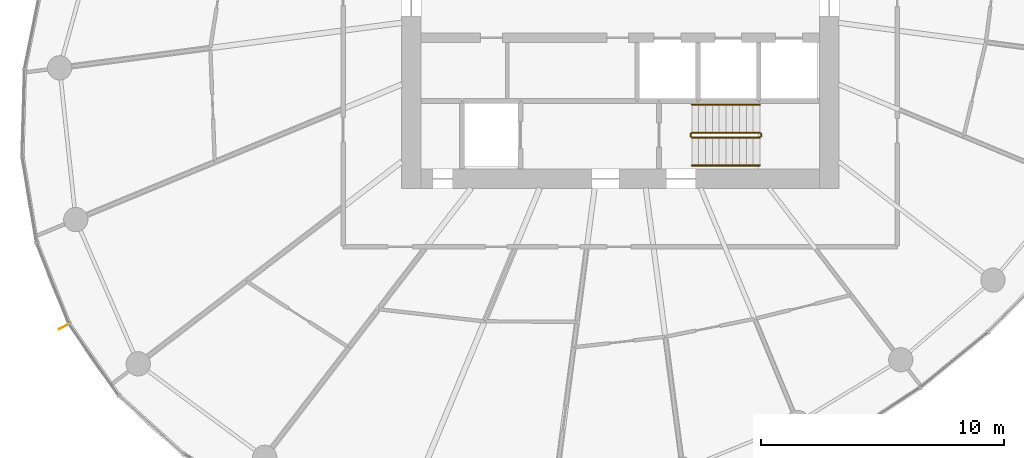
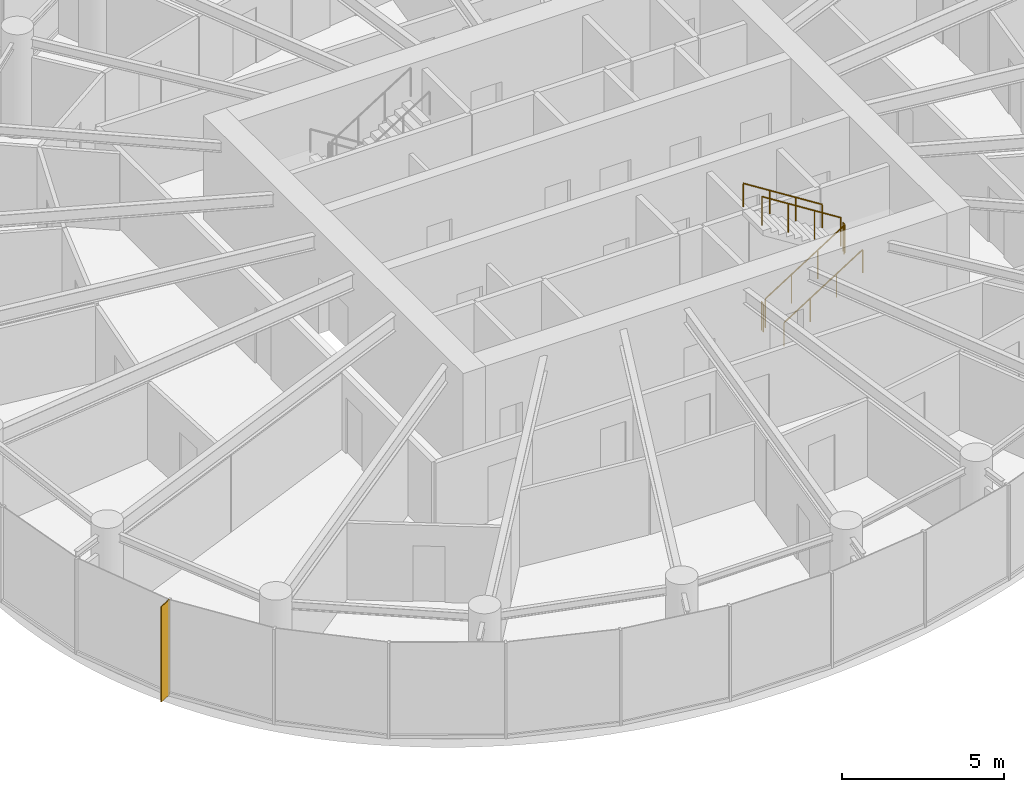
# One storey, part 12 of 14: 6 railings, 1 shading device.
"""IFC4 building model written with IfcOpenShell, lengths in metres."""

from ifc_helpers import new_model, si_unit, direction, frame, origin, origin_2d, place, context, subcontext, project, spatial, rectangle, circle, extrude, source, transform, mapped, material, material_profile, profile_set, type_object, element, save


model = new_model("IFC4")

# Units and contexts
model_context = context("Model", 3, precision=1e-05, world=origin(), true_north=direction((0.0, 1.0)))
body_context = subcontext(model_context, "Body", "Model", "MODEL_VIEW")
ifc_project = project(units=[si_unit("LENGTHUNIT", "METRE"), si_unit("AREAUNIT", "SQUARE_METRE"), si_unit("VOLUMEUNIT", "CUBIC_METRE"), si_unit("PLANEANGLEUNIT", "RADIAN"), si_unit("MASSUNIT", "GRAM", prefix="KILO")], contexts=[model_context])

# Site, building, storey
site_placement = place(None, origin())
site = spatial("IfcSite", under=ifc_project, at=site_placement, CompositionType="ELEMENT")
building_placement = place(site_placement, origin())
building = spatial("IfcBuilding", under=site, at=building_placement, Name="Spindrift Exchange Tower", CompositionType="ELEMENT")
storey_placement = place(building_placement, frame((0.0, 0.0, 152.60009765625)))
storey = spatial("IfcBuildingStorey", under=building, at=storey_placement, Name="L36", CompositionType="ELEMENT", Elevation=152.60009765625)

# Railings
ifc_material_1 = material(Name="Steel balustrade", Category="steel")
railing_type_1 = type_object("IfcRailingType", Name="RL-STAIR-GUARD", PredefinedType="GUARDRAIL", material=ifc_material_1)
railing_1_placement = place(storey_placement, frame((54.949951171875, 42.10009765625, 0.17724609375)))
element("IfcRailing", 1, at=railing_1_placement, inside=storey, type_object=railing_type_1, Name="L36 ST2 stair guard 1", PredefinedType="GUARDRAIL", context=body_context, shape_type="SweptSolid", body=[
    extrude(circle(Radius=0.02392578125, at=origin_2d()), frame((0.0, 0.0, 1.076171875), z_axis=(0.844908973607, 0.0, 0.534910110503), x_axis=(0.0, 1.0, 0.0)), (0.0, 0.0, 1.0), 3.31396484375),
    extrude(circle(Radius=0.02099609375, at=origin_2d()), origin(), (0.0, 0.0, 1.0), 1.052001953125),
    extrude(circle(Radius=0.02099609375, at=origin_2d()), frame((0.933349609375, 0.0, 0.5908203125)), (0.0, 0.0, 1.0), 1.052001953125),
    extrude(circle(Radius=0.02099609375, at=origin_2d()), frame((1.86669921875, 0.0, 1.181884765625)), (0.0, 0.0, 1.0), 1.052001953125),
    extrude(circle(Radius=0.02099609375, at=origin_2d()), frame((2.800048828125, 0.0, 1.772705078125)), (0.0, 0.0, 1.0), 1.052001953125),
])
railing_2_placement = place(storey_placement, frame((57.800048828125, 42.14990234375, 1.949951171875)))
element("IfcRailing", 2, at=railing_2_placement, inside=storey, type_object=railing_type_1, Name="L36 ST2 stair guard 2", PredefinedType="GUARDRAIL", context=body_context, shape_type="SweptSolid", body=[
    extrude(circle(Radius=0.02392578125, at=origin_2d()), frame((0.0, 0.0, 1.076171875), z_axis=(0.0, 1.0, 0.0), x_axis=(-1.0, 0.0, 0.0)), (0.0, 0.0, 1.0), 0.10009765625),
    extrude(circle(Radius=0.02099609375, at=origin_2d()), origin(), (0.0, 0.0, 1.0), 1.052001953125),
    extrude(circle(Radius=0.02099609375, at=origin_2d()), frame((0.0, 0.10009765625, 0.0)), (0.0, 0.0, 1.0), 1.052001953125),
])
railing_3_placement = place(storey_placement, frame((57.75, 42.300048828125, 2.127197265625)))
element("IfcRailing", 3, at=railing_3_placement, inside=storey, type_object=railing_type_1, Name="L36 ST2 stair guard 3", PredefinedType="GUARDRAIL", context=body_context, shape_type="SweptSolid", body=[
    extrude(circle(Radius=0.02392578125, at=origin_2d()), frame((0.0, 0.0, 1.076171875), z_axis=(-0.844908973607, 0.0, 0.534910110503), x_axis=(0.0, -1.0, 0.0)), (0.0, 0.0, 1.0), 3.31396484375),
    extrude(circle(Radius=0.02099609375, at=origin_2d()), origin(), (0.0, 0.0, 1.0), 1.052001953125),
    extrude(circle(Radius=0.02099609375, at=origin_2d()), frame((-0.933349609375, 0.0, 0.5908203125)), (0.0, 0.0, 1.0), 1.052001953125),
    extrude(circle(Radius=0.02099609375, at=origin_2d()), frame((-1.86669921875, 0.0, 1.181884765625)), (0.0, 0.0, 1.0), 1.052001953125),
    extrude(circle(Radius=0.02099609375, at=origin_2d()), frame((-2.800048828125, 0.0, 1.772705078125)), (0.0, 0.0, 1.0), 1.052001953125),
])
railing_4_placement = place(storey_placement, frame((54.89990234375, 42.14990234375, 0.0)))
element("IfcRailing", 4, at=railing_4_placement, inside=storey, type_object=railing_type_1, Name="L36 ST2 stair guard 4", PredefinedType="GUARDRAIL", context=body_context, shape_type="SweptSolid", body=[
    extrude(circle(Radius=0.02392578125, at=origin_2d()), frame((0.0, 0.0, 1.076171875), z_axis=(0.0, 1.0, 0.0), x_axis=(-1.0, 0.0, 0.0)), (0.0, 0.0, 1.0), 0.10009765625),
    extrude(circle(Radius=0.02099609375, at=origin_2d()), origin(), (0.0, 0.0, 1.0), 1.052001953125),
    extrude(circle(Radius=0.02099609375, at=origin_2d()), frame((0.0, 0.10009765625, 0.0)), (0.0, 0.0, 1.0), 1.052001953125),
])
ifc_material_2 = material(Name="Steel tubular handrail", Category="steel")
railing_type_2 = type_object("IfcRailingType", Name="RL-STAIR-HAND", PredefinedType="HANDRAIL", material=ifc_material_2)
railing_5_placement = place(storey_placement, frame((54.949951171875, 40.949951171875, 0.17724609375)))
element("IfcRailing", 5, at=railing_5_placement, inside=storey, type_object=railing_type_2, Name="L36 ST2 stair handrail 1", PredefinedType="HANDRAIL", context=body_context, shape_type="SweptSolid", body=[
    extrude(circle(Radius=0.02392578125, at=origin_2d()), frame((0.0, 0.0, 0.8759765625), z_axis=(0.844908973607, 0.0, 0.534910110503), x_axis=(0.0, 1.0, 0.0)), (0.0, 0.0, 1.0), 3.31396484375),
    extrude(circle(Radius=0.02099609375, at=origin_2d()), origin(), (0.0, 0.0, 1.0), 0.851806640625),
    extrude(circle(Radius=0.02099609375, at=origin_2d()), frame((0.933349609375, 0.0, 0.5908203125)), (0.0, 0.0, 1.0), 0.851806640625),
    extrude(circle(Radius=0.02099609375, at=origin_2d()), frame((1.86669921875, 0.0, 1.181884765625)), (0.0, 0.0, 1.0), 0.851806640625),
    extrude(circle(Radius=0.02099609375, at=origin_2d()), frame((2.800048828125, 0.0, 1.772705078125)), (0.0, 0.0, 1.0), 0.851806640625),
])
railing_6_placement = place(storey_placement, frame((57.75, 43.449951171875, 2.127197265625)))
element("IfcRailing", 6, at=railing_6_placement, inside=storey, type_object=railing_type_2, Name="L36 ST2 stair handrail 2", PredefinedType="HANDRAIL", context=body_context, shape_type="SweptSolid", body=[
    extrude(circle(Radius=0.02392578125, at=origin_2d()), frame((0.0, 0.0, 0.8759765625), z_axis=(-0.844908973607, 0.0, 0.534910110503), x_axis=(0.0, -1.0, 0.0)), (0.0, 0.0, 1.0), 3.31396484375),
    extrude(circle(Radius=0.02099609375, at=origin_2d()), origin(), (0.0, 0.0, 1.0), 0.851806640625),
    extrude(circle(Radius=0.02099609375, at=origin_2d()), frame((-0.933349609375, 0.0, 0.5908203125)), (0.0, 0.0, 1.0), 0.851806640625),
    extrude(circle(Radius=0.02099609375, at=origin_2d()), frame((-1.86669921875, 0.0, 1.181884765625)), (0.0, 0.0, 1.0), 0.851806640625),
    extrude(circle(Radius=0.02099609375, at=origin_2d()), frame((-2.800048828125, 0.0, 1.772705078125)), (0.0, 0.0, 1.0), 0.851806640625),
])

# Shading device
ifc_material_3 = material(Name="Bronze anodised aluminium", Category="aluminium")
ifc_material_profile = material_profile(ifc_material_3, rectangle(XDim=0.030029296875, YDim=0.5, at=origin_2d()), Name="WIND FIN 30X500")
ifc_profile_set = profile_set([ifc_material_profile], Name="Bronze anodised aluminium")
shading_device_type = type_object("IfcShadingDeviceType", Name="WIND FIN 30X500", PredefinedType="USERDEFINED", material=ifc_profile_set)
shared_shape = source(origin(), body_context, "Body", "SweptSolid", [
    extrude(rectangle(XDim=0.030029296875, YDim=0.5, at=origin_2d()), origin(), (0.0, 0.0, 1.0), 3.579833984375),
])
shading_device_placement = place(storey_placement, frame((29.13525390625, 34.330810546875, 0.0), z_axis=(0.0, 0.0, 1.0), x_axis=(0.473923771433, -0.880565874237, 0.0)))
element("IfcShadingDevice", 7, at=shading_device_placement, inside=storey, type_object=shading_device_type, Name="L36 wind fin 1", ObjectType="FIN", PredefinedType="USERDEFINED", context=body_context, shape_type="MappedRepresentation", body=[
    mapped(shared_shape, transform((0.0, 0.0, 0.0), scale=1.0)),
])

save(model, "model.ifc")
